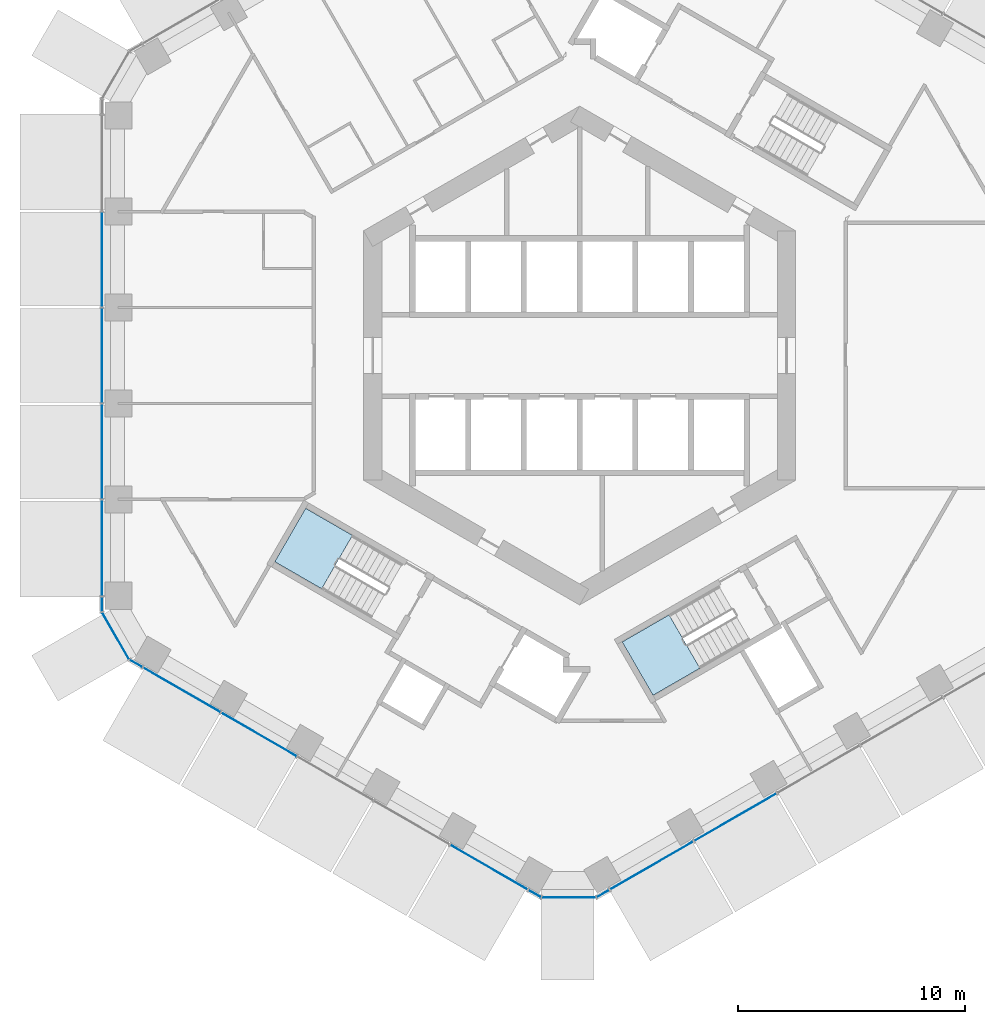
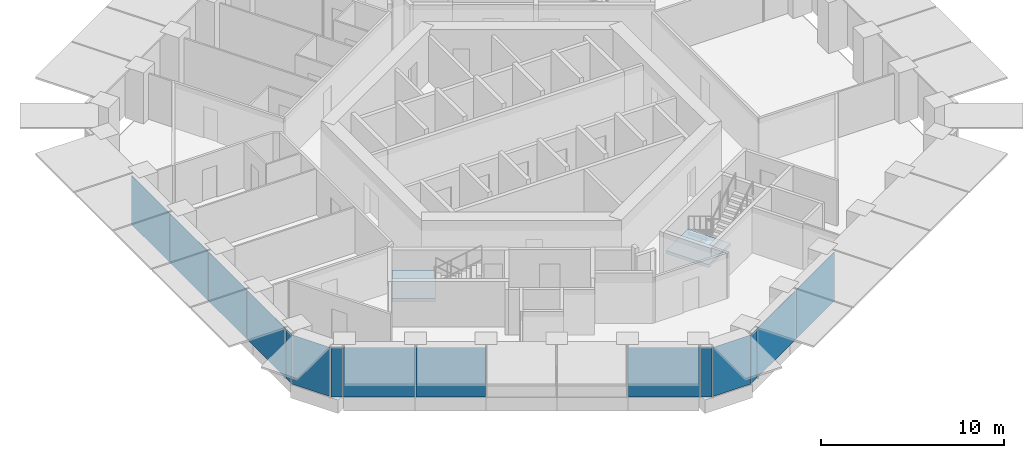
# One storey, part 8 of 19: 15 plates, 2 slabs, 7 elements without a shape of their own.
"""IFC4 building model written with IfcOpenShell, lengths in metres."""

from ifc_helpers import new_model, si_unit, direction, frame, origin, origin_2d, place, context, subcontext, project, spatial, polyline, rectangle, outline, extrude, material, layer, layer_set, type_object, element, aggregate, save


model = new_model("IFC4")

# Units and contexts
model_context = context("Model", 3, precision=1e-05, world=origin(), true_north=direction((0.0, 1.0)))
body_context = subcontext(model_context, "Body", "Model", "MODEL_VIEW")
ifc_project = project(units=[si_unit("LENGTHUNIT", "METRE"), si_unit("AREAUNIT", "SQUARE_METRE"), si_unit("VOLUMEUNIT", "CUBIC_METRE"), si_unit("PLANEANGLEUNIT", "RADIAN"), si_unit("MASSUNIT", "GRAM", prefix="KILO")], contexts=[model_context])

# Site, building, storey
site_placement = place(None, origin())
site = spatial("IfcSite", under=ifc_project, at=site_placement, CompositionType="ELEMENT")
building_placement = place(site_placement, origin())
building = spatial("IfcBuilding", under=site, at=building_placement, Name="Ayvan Gate Tower", CompositionType="ELEMENT")
storey_placement = place(building_placement, frame((0.0, 0.0, 52.699951171875)))
storey = spatial("IfcBuildingStorey", under=building, at=storey_placement, Name="L13", CompositionType="ELEMENT", Elevation=52.699951171875)

# Stair, slab
ifc_material_1 = material(Name="Concrete C40/50", Category="concrete")
stair_type = type_object("IfcStairType", Name="ST-EXIT", PredefinedType="HALF_TURN_STAIR", material=ifc_material_1)
stair_1_placement = place(storey_placement, origin())
stair_1 = element("IfcStair", 1, at=stair_1_placement, inside=storey, type_object=stair_type, Name="L13 Exit Stair S2", PredefinedType="HALF_TURN_STAIR")
ifc_layer_1 = layer(ifc_material_1, 0.199951171875)
ifc_layer_set_1 = layer_set([ifc_layer_1], Name="Concrete C40/50")
slab_type = type_object("IfcSlabType", Name="SL-LANDING-200", PredefinedType="LANDING", material=ifc_layer_set_1)
slab_1_placement = place(storey_placement, frame((0.0, 0.0, 1.5)))
slab_1 = element("IfcSlab", 2, at=slab_1_placement, type_object=slab_type, Name="STS2 landing 1", PredefinedType="LANDING", context=body_context, shape_type="SweptSolid", body=[
    extrude(outline(polyline([(-9.988525390625, -7.91064453125), (-12.049560546875, -6.720458984375), (-13.404541015625, -9.0673828125), (-11.343505859375, -10.257568359375), (-9.988525390625, -7.91064453125)])), origin(), (0.0, 0.0, 1.0), 0.199951171875),
])
aggregate(stair_1, [slab_1])

stair_2_placement = place(storey_placement, origin())
stair_2 = element("IfcStair", 3, at=stair_2_placement, inside=storey, type_object=stair_type, Name="L13 Exit Stair S3", PredefinedType="HALF_TURN_STAIR")
slab_2_placement = place(storey_placement, frame((0.0, 0.0, 1.5)))
slab_2 = element("IfcSlab", 4, at=slab_2_placement, type_object=slab_type, Name="STS3 landing 1", PredefinedType="LANDING", context=body_context, shape_type="SweptSolid", body=[
    extrude(outline(polyline([(3.93505859375, -11.405517578125), (1.873779296875, -12.595458984375), (3.228759765625, -14.9423828125), (5.2900390625, -13.75244140625), (3.93505859375, -11.405517578125)])), origin(), (0.0, 0.0, 1.0), 0.199951171875),
])
aggregate(stair_2, [slab_2])

# Curtain wall, plates
ifc_material_2 = material(Name="Bronze anodised aluminium", Category="aluminium")
ifc_layer_2 = layer(ifc_material_2, 0.199951171875)
ifc_layer_set_2 = layer_set([ifc_layer_2], Name="Bronze anodised aluminium")
curtain_wall_type_1 = type_object("IfcCurtainWallType", Name="Stick curtain wall CW-1", PredefinedType="NOTDEFINED", material=ifc_layer_set_2)
curtain_wall_1_placement = place(storey_placement, origin())
curtain_wall_1 = element("IfcCurtainWall", 5, at=curtain_wall_1_placement, inside=storey, type_object=curtain_wall_type_1, Name="Stick curtain wall CW-1 L13", PredefinedType="NOTDEFINED")
ifc_material_3 = material(Name="Clear low-iron laminated glass", Category="glass")
ifc_layer_3 = layer(ifc_material_3, 0.028076171875)
ifc_layer_set_3 = layer_set([ifc_layer_3], Name="Clear low-iron laminated glass")
plate_type_1 = type_object("IfcPlateType", Name="Stick curtain wall CW-1 glass panel", PredefinedType="CURTAIN_PANEL", material=ifc_layer_set_3)
plate_1_placement = place(storey_placement, frame((-21.009765625, 4.2236328125, 0.0), z_axis=(0.0, 0.0, 1.0), x_axis=(0.0, -1.0, 0.0)))
plate_1 = element("IfcPlate", 6, at=plate_1_placement, type_object=plate_type_1, Name="CW-1 glass panel 2", PredefinedType="CURTAIN_PANEL", context=body_context, shape_type="SweptSolid", body=[
    extrude(rectangle(XDim=4.1630859375, YDim=0.028076171875, at=origin_2d()), origin(), (0.0, 0.0, 1.0), 3.280029296875),
])
plate_2_placement = place(storey_placement, frame((-21.009765625, 0.000244140625, 0.0), z_axis=(0.0, 0.0, 1.0), x_axis=(0.0, -1.0, 0.0)))
plate_2 = element("IfcPlate", 7, at=plate_2_placement, type_object=plate_type_1, Name="CW-1 glass panel 3", PredefinedType="CURTAIN_PANEL", context=body_context, shape_type="SweptSolid", body=[
    extrude(rectangle(XDim=4.1640625, YDim=0.028076171875, at=origin_2d()), origin(), (0.0, 0.0, 1.0), 3.280029296875),
])
plate_3_placement = place(storey_placement, frame((-21.009765625, -4.223876953125, 0.0), z_axis=(0.0, 0.0, 1.0), x_axis=(0.0, -1.0, 0.0)))
plate_3 = element("IfcPlate", 8, at=plate_3_placement, type_object=plate_type_1, Name="CW-1 glass panel 4", PredefinedType="CURTAIN_PANEL", context=body_context, shape_type="SweptSolid", body=[
    extrude(rectangle(XDim=4.1640625, YDim=0.028076171875, at=origin_2d()), origin(), (0.0, 0.0, 1.0), 3.280029296875),
])
plate_4_placement = place(storey_placement, frame((-21.009765625, -8.485107421875, 0.0), z_axis=(0.0, 0.0, 1.0), x_axis=(0.0, -1.0, 0.0)))
plate_4 = element("IfcPlate", 9, at=plate_4_placement, type_object=plate_type_1, Name="CW-1 glass panel 5", PredefinedType="CURTAIN_PANEL", context=body_context, shape_type="SweptSolid", body=[
    extrude(rectangle(XDim=4.238525390625, YDim=0.028076171875, at=origin_2d()), origin(), (0.0, 0.0, 1.0), 3.280029296875),
])
aggregate(curtain_wall_1, [plate_1, plate_2, plate_3, plate_4])

curtain_wall_2_placement = place(storey_placement, origin())
curtain_wall_2 = element("IfcCurtainWall", 10, at=curtain_wall_2_placement, inside=storey, type_object=curtain_wall_type_1, Name="Stick curtain wall CW-1 L13", PredefinedType="NOTDEFINED")
plate_5_placement = place(storey_placement, frame((-17.507080078125, -14.700439453125, 0.0), z_axis=(0.0, 0.0, 1.0), x_axis=(0.866025403784, -0.5, 0.0)))
plate_5 = element("IfcPlate", 11, at=plate_5_placement, type_object=plate_type_1, Name="CW-1 glass panel 1", PredefinedType="CURTAIN_PANEL", context=body_context, shape_type="SweptSolid", body=[
    extrude(rectangle(XDim=3.94091796875, YDim=0.028076171875, at=origin_2d()), origin(), (0.0, 0.0, 1.0), 3.280029296875),
])
plate_6_placement = place(storey_placement, frame((-14.09716796875, -16.669189453125, 0.0), z_axis=(0.0, 0.0, 1.0), x_axis=(0.866025403784, -0.5, 0.0)))
plate_6 = element("IfcPlate", 12, at=plate_6_placement, type_object=plate_type_1, Name="CW-1 glass panel 2", PredefinedType="CURTAIN_PANEL", context=body_context, shape_type="SweptSolid", body=[
    extrude(rectangle(XDim=3.81396484375, YDim=0.028076171875, at=origin_2d()), origin(), (0.0, 0.0, 1.0), 3.280029296875),
])
plate_7_placement = place(storey_placement, frame((-3.977294921875, -22.511962890625, 0.0), z_axis=(0.0, 0.0, 1.0), x_axis=(0.866025403784, -0.5, 0.0)))
plate_7 = element("IfcPlate", 13, at=plate_7_placement, type_object=plate_type_1, Name="CW-1 glass panel 5", PredefinedType="CURTAIN_PANEL", context=body_context, shape_type="SweptSolid", body=[
    extrude(rectangle(XDim=3.940673828125, YDim=0.028076171875, at=origin_2d()), origin(), (0.0, 0.0, 1.0), 3.280029296875),
])
aggregate(curtain_wall_2, [plate_5, plate_6, plate_7])

curtain_wall_3_placement = place(storey_placement, origin())
curtain_wall_3 = element("IfcCurtainWall", 14, at=curtain_wall_3_placement, inside=storey, type_object=curtain_wall_type_1, Name="Stick curtain wall CW-1 L13", PredefinedType="NOTDEFINED")
plate_8_placement = place(storey_placement, frame((3.156982421875, -22.4375, 0.0), z_axis=(0.0, 0.0, 1.0), x_axis=(0.866025403784, 0.5, 0.0)))
plate_8 = element("IfcPlate", 15, at=plate_8_placement, type_object=plate_type_1, Name="CW-1 glass panel 1", PredefinedType="CURTAIN_PANEL", context=body_context, shape_type="SweptSolid", body=[
    extrude(rectangle(XDim=4.239013671875, YDim=0.028076171875, at=origin_2d()), origin(), (0.0, 0.0, 1.0), 3.280029296875),
])
plate_9_placement = place(storey_placement, frame((6.84716796875, -20.306884765625, 0.0), z_axis=(0.0, 0.0, 1.0), x_axis=(0.866025403784, 0.5, 0.0)))
plate_9 = element("IfcPlate", 16, at=plate_9_placement, type_object=plate_type_1, Name="CW-1 glass panel 2", PredefinedType="CURTAIN_PANEL", context=body_context, shape_type="SweptSolid", body=[
    extrude(rectangle(XDim=4.1630859375, YDim=0.028076171875, at=origin_2d()), origin(), (0.0, 0.0, 1.0), 3.280029296875),
])
aggregate(curtain_wall_3, [plate_8, plate_9])

ifc_layer_4 = layer(ifc_material_2, 0.199951171875)
ifc_layer_set_4 = layer_set([ifc_layer_4], Name="Bronze anodised aluminium")
curtain_wall_type_2 = type_object("IfcCurtainWallType", Name="Stick curtain wall CW-6", PredefinedType="NOTDEFINED", material=ifc_layer_set_4)
curtain_wall_4_placement = place(storey_placement, origin())
curtain_wall_4 = element("IfcCurtainWall", 17, at=curtain_wall_4_placement, inside=storey, type_object=curtain_wall_type_2, Name="Stick curtain wall CW-6 L13", PredefinedType="NOTDEFINED")
ifc_layer_5 = layer(ifc_material_3, 0.028076171875)
ifc_layer_set_5 = layer_set([ifc_layer_5], Name="Clear low-iron laminated glass")
plate_type_2 = type_object("IfcPlateType", Name="Stick curtain wall CW-6 glass panel", PredefinedType="CURTAIN_PANEL", material=ifc_layer_set_5)
plate_10_placement = place(storey_placement, frame((-21.009765625, -10.94677734375, 0.0), z_axis=(0.0, 0.0, 1.0), x_axis=(0.0, -1.0, 0.0)))
plate_10 = element("IfcPlate", 18, at=plate_10_placement, type_object=plate_type_2, Name="CW-6 glass panel 1", PredefinedType="CURTAIN_PANEL", context=body_context, shape_type="SweptSolid", body=[
    extrude(rectangle(XDim=0.625, YDim=0.028076171875, at=origin_2d()), origin(), (0.0, 0.0, 1.0), 3.280029296875),
])
plate_11_placement = place(storey_placement, frame((-20.40625, -12.329833984375, 0.0), z_axis=(0.0, 0.0, 1.0), x_axis=(0.5, -0.866025403784, 0.0)))
plate_11 = element("IfcPlate", 19, at=plate_11_placement, type_object=plate_type_2, Name="CW-6 glass panel 2", PredefinedType="CURTAIN_PANEL", context=body_context, shape_type="SweptSolid", body=[
    extrude(rectangle(XDim=2.364501953125, YDim=0.028076171875, at=origin_2d()), origin(), (0.0, 0.0, 1.0), 3.280029296875),
])
plate_12_placement = place(storey_placement, frame((-19.51025390625, -13.5439453125, 0.0), z_axis=(0.0, 0.0, 1.0), x_axis=(0.866025403784, -0.5, 0.0)))
plate_12 = element("IfcPlate", 20, at=plate_12_placement, type_object=plate_type_2, Name="CW-6 glass panel 3", PredefinedType="CURTAIN_PANEL", context=body_context, shape_type="SweptSolid", body=[
    extrude(rectangle(XDim=0.625, YDim=0.028076171875, at=origin_2d()), origin(), (0.0, 0.0, 1.0), 3.280029296875),
])
aggregate(curtain_wall_4, [plate_10, plate_11, plate_12])

curtain_wall_5_placement = place(storey_placement, origin())
curtain_wall_5 = element("IfcCurtainWall", 21, at=curtain_wall_5_placement, inside=storey, type_object=curtain_wall_type_2, Name="Stick curtain wall CW-6 L13", PredefinedType="NOTDEFINED")
plate_13_placement = place(storey_placement, frame((-1.974365234375, -23.66845703125, 0.0), z_axis=(0.0, 0.0, 1.0), x_axis=(0.866025403784, -0.5, 0.0)))
plate_13 = element("IfcPlate", 22, at=plate_13_placement, type_object=plate_type_2, Name="CW-6 glass panel 1", PredefinedType="CURTAIN_PANEL", context=body_context, shape_type="SweptSolid", body=[
    extrude(rectangle(XDim=0.625, YDim=0.028076171875, at=origin_2d()), origin(), (0.0, 0.0, 1.0), 3.280029296875),
])
plate_14_placement = place(storey_placement, frame((-0.474853515625, -23.837158203125, 0.0), z_axis=(0.0, 0.0, 1.0), x_axis=(1.0, 0.0, 0.0)))
plate_14 = element("IfcPlate", 23, at=plate_14_placement, type_object=plate_type_2, Name="CW-6 glass panel 2", PredefinedType="CURTAIN_PANEL", context=body_context, shape_type="SweptSolid", body=[
    extrude(rectangle(XDim=2.364501953125, YDim=0.028076171875, at=origin_2d()), origin(), (0.0, 0.0, 1.0), 3.280029296875),
])
plate_15_placement = place(storey_placement, frame((1.024658203125, -23.66845703125, 0.0), z_axis=(0.0, 0.0, 1.0), x_axis=(0.866025403784, 0.5, 0.0)))
plate_15 = element("IfcPlate", 24, at=plate_15_placement, type_object=plate_type_2, Name="CW-6 glass panel 3", PredefinedType="CURTAIN_PANEL", context=body_context, shape_type="SweptSolid", body=[
    extrude(rectangle(XDim=0.625, YDim=0.028076171875, at=origin_2d()), origin(), (0.0, 0.0, 1.0), 3.280029296875),
])
aggregate(curtain_wall_5, [plate_13, plate_14, plate_15])

save(model, "model.ifc")
